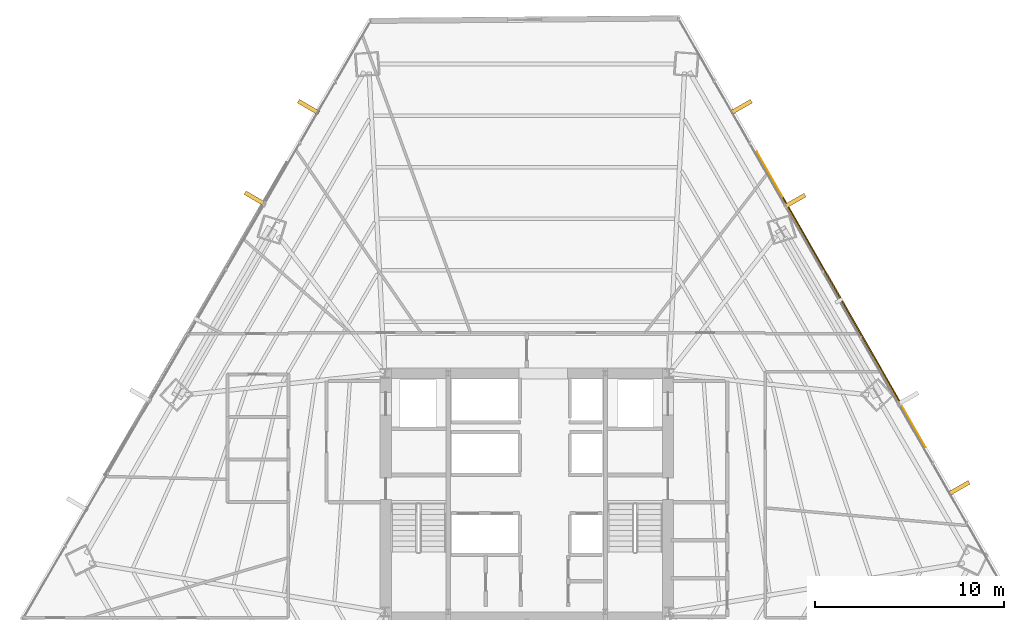
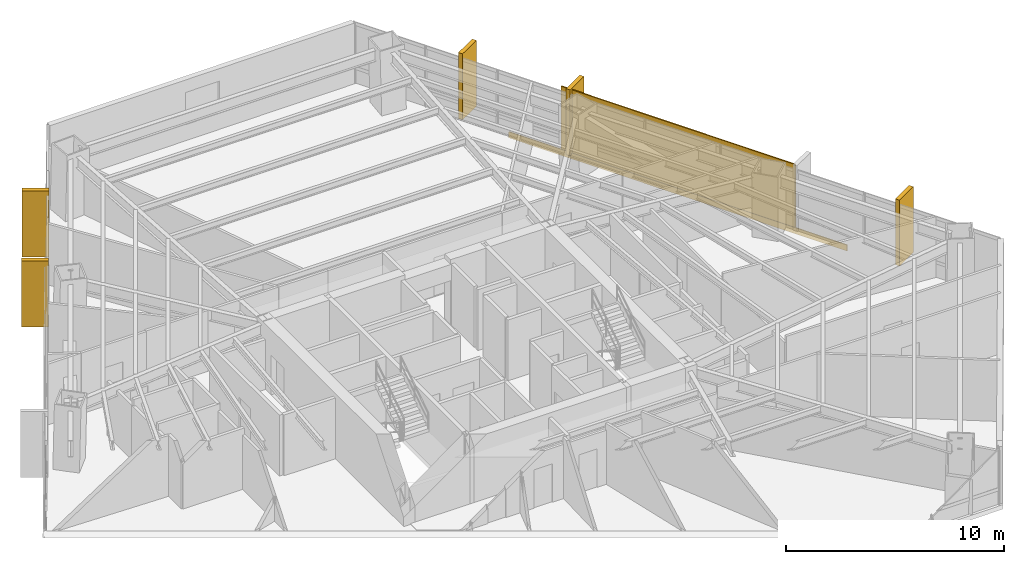
# One storey, part 36 of 36: 6 coverings, 1 shading device.
"""IFC4 building model written with IfcOpenShell, lengths in metres."""

from ifc_helpers import new_model, si_unit, direction, frame, origin, origin_2d, place, context, subcontext, project, spatial, rectangle, extrude, source, transform, mapped, material, layer, layer_set, type_object, type_shapes, element, save


model = new_model("IFC4")

# Units and contexts
model_context = context("Model", 3, precision=1e-05, world=origin(), true_north=direction((0.0, 1.0)))
body_context = subcontext(model_context, "Body", "Model", "MODEL_VIEW")
ifc_project = project(units=[si_unit("LENGTHUNIT", "METRE"), si_unit("AREAUNIT", "SQUARE_METRE"), si_unit("VOLUMEUNIT", "CUBIC_METRE"), si_unit("PLANEANGLEUNIT", "RADIAN"), si_unit("MASSUNIT", "GRAM", prefix="KILO")], contexts=[model_context])

# Site, building, storey
site_placement = place(None, origin())
site = spatial("IfcSite", under=ifc_project, at=site_placement, CompositionType="ELEMENT")
building_placement = place(site_placement, origin())
building = spatial("IfcBuilding", under=site, at=building_placement, Name="Caelisora Broadcast Tower", CompositionType="ELEMENT")
storey_placement = place(building_placement, frame((0.0, 0.0, 64.10009765625)))
storey = spatial("IfcBuildingStorey", under=building, at=storey_placement, Name="L16", CompositionType="ELEMENT", Elevation=64.10009765625)

# Coverings
ifc_material_1 = material(Name="Kiln-Fired Terracotta Spandrel Rainscreen Cladding", Category="ceramic")
ifc_layer_1 = layer(ifc_material_1, 0.044921875, Name="Kiln-Fired Terracotta Spandrel Rainscreen Cladding")
ifc_layer_set_1 = layer_set([ifc_layer_1], Name="Kiln-Fired Terracotta Spandrel Rainscreen Cladding")
covering_type = type_object("IfcCoveringType", Name="CL-1", PredefinedType="CLADDING", material=ifc_layer_set_1)
shared_shape_1 = source(origin(), body_context, "Body", "SweptSolid", [
    extrude(rectangle(XDim=0.219970703125, YDim=1.25, at=origin_2d()), origin(), (0.0, 0.0, 1.0), 3.68994140625),
])
for number, where, z_axis, x_axis, name in (
    (1, (49.32470703125, 44.074462890625, -0.02001953125), (0.0, 0.0, 1.0), (0.496064966839, -0.868285407383, 0.0), "L16 vertical solar fin cladding #1-1"),
    (2, (52.158203125, 39.114013671875, -0.02001953125), (0.0, 0.0, 1.0), (0.496064966839, -0.868285407383, 0.0), "L16 vertical solar fin cladding #1-2"),
    (3, (60.82421875, 23.94287109375, -0.02001953125), (0.0, 0.0, 1.0), (0.496064966839, -0.868285407383, 0.0), "L16 vertical solar fin cladding #1-4"),
    (4, (23.655029296875, 39.235107421875, -0.02001953125), (0.0, 0.0, 1.0), (0.50286909456, 0.864362582332, 0.0), "L16 vertical solar fin cladding #3-3"),
    (5, (26.469482421875, 44.072509765625, -0.02001953125), (0.0, 0.0, 1.0), (0.50286909456, 0.864362582332, 0.0), "L16 vertical solar fin cladding #3-4"),
):
    element("IfcCovering", number, at=place(storey_placement, frame(where, z_axis=z_axis, x_axis=x_axis)), inside=storey, type_object=covering_type, Name=name, PredefinedType="CLADDING", context=body_context, shape_type="MappedRepresentation", body=[
        mapped(shared_shape_1, transform((0.0, 0.0, 0.0), scale=1.0)),
    ])

# Shading device
ifc_material_2 = material(Name="Perforated Glazed Terracotta Baguette Solar Screen", Category="ceramic")
ifc_layer_2 = layer(ifc_material_2, 0.06494140625, Name="Perforated Glazed Terracotta Baguette Solar Screen")
ifc_layer_set_2 = layer_set([ifc_layer_2], Name="Perforated Glazed Terracotta Baguette Solar Screen")
shading_device_type = type_object("IfcShadingDeviceType", Name="SS-1", PredefinedType="USERDEFINED", material=ifc_layer_set_2)
shared_shape_2 = source(origin(), body_context, "Body", "SweptSolid", [
    extrude(rectangle(XDim=12.424072265625, YDim=0.06494140625, at=origin_2d()), origin(), (0.0, 0.0, 1.0), 3.590087890625),
])
type_shapes(shading_device_type, [shared_shape_2])
shading_device_placement = place(storey_placement, frame((54.61572265625, 33.90478515625, 0.0), z_axis=(0.0, 0.0, 1.0), x_axis=(-0.495913414893, 0.868371973828, 0.0)))
element("IfcShadingDevice", 6, at=shading_device_placement, inside=storey, type_object=shading_device_type, Name="L16 perforated terracotta solar screen #3", ObjectType="SOLAR SCREEN", PredefinedType="USERDEFINED", context=body_context, shape_type="MappedRepresentation", body=[
    mapped(shared_shape_2, transform((0.0, 0.0, 0.0), scale=1.0)),
])

# Covering
shared_shape_3 = source(origin(), body_context, "Body", "SweptSolid", [
    extrude(rectangle(XDim=17.946044921875, YDim=0.044921875, at=origin_2d()), origin(), (0.0, 0.0, 1.0), 0.340087890625),
])
type_shapes(covering_type, [shared_shape_1, shared_shape_3])
covering_placement = place(storey_placement, frame((54.598388671875, 33.894775390625, -0.27001953125), z_axis=(0.0, 0.0, 1.0), x_axis=(-0.495913414893, 0.868371973828, 0.0)))
element("IfcCovering", 7, at=covering_placement, inside=storey, type_object=covering_type, Name="L16 terracotta spandrel rainscreen #3", PredefinedType="CLADDING", context=body_context, shape_type="MappedRepresentation", body=[
    mapped(shared_shape_3, transform((0.0, 0.0, 0.0), scale=1.0)),
])

save(model, "model.ifc")
